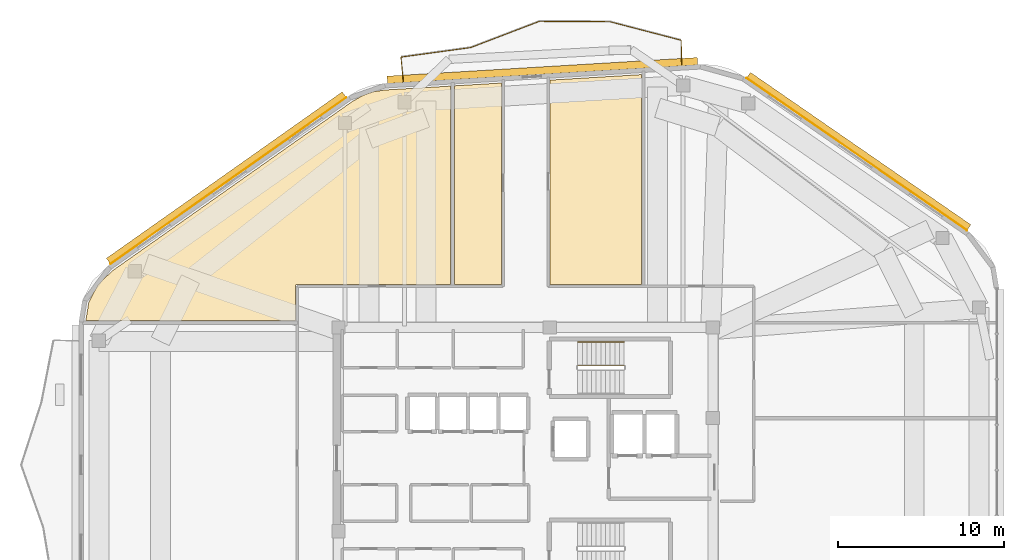
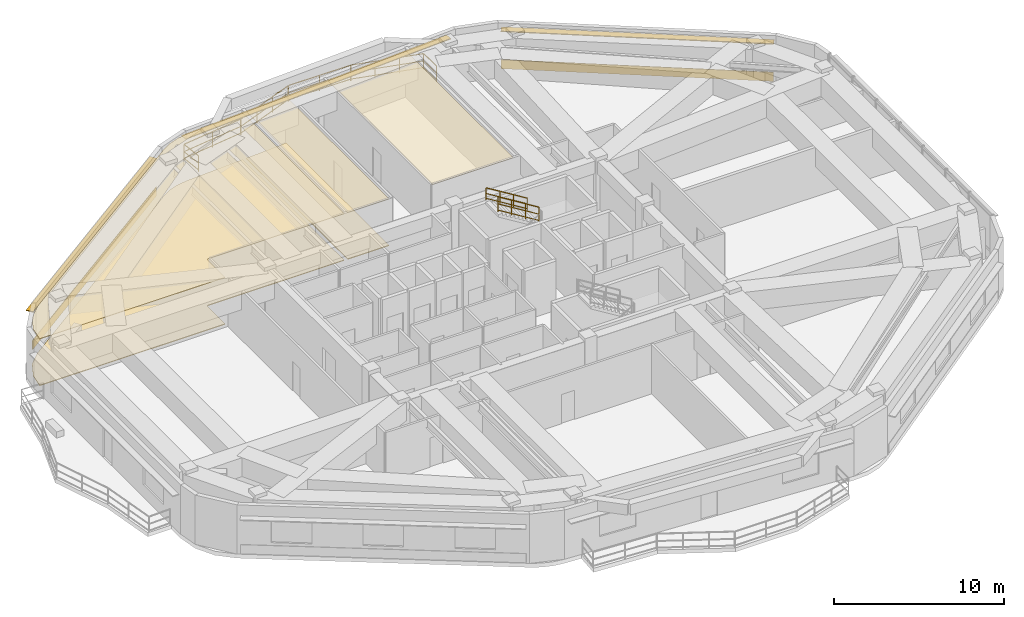
# One storey, part 15 of 15: 8 railings, 7 coverings, 3 shading devices.
"""IFC4 building model written with IfcOpenShell, lengths in metres."""

from ifc_helpers import new_model, si_unit, direction, frame, origin, origin_2d, place, context, subcontext, project, spatial, polyline, rectangle, outline, extrude, material, layer, layer_set, type_object, element, save


model = new_model("IFC4")

# Units and contexts
model_context = context("Model", 3, precision=1e-05, world=origin(), true_north=direction((0.0, 1.0)))
body_context = subcontext(model_context, "Body", "Model", "MODEL_VIEW")
ifc_project = project(units=[si_unit("LENGTHUNIT", "METRE"), si_unit("AREAUNIT", "SQUARE_METRE"), si_unit("VOLUMEUNIT", "CUBIC_METRE"), si_unit("PLANEANGLEUNIT", "RADIAN"), si_unit("MASSUNIT", "GRAM", prefix="KILO")], contexts=[model_context])

# Site, building, storey
site_placement = place(None, origin())
site = spatial("IfcSite", under=ifc_project, at=site_placement, CompositionType="ELEMENT")
building_placement = place(site_placement, origin())
building = spatial("IfcBuilding", under=site, at=building_placement, Name="Zulverin Broadcast Headquarters", CompositionType="ELEMENT")
storey_placement = place(building_placement, frame((0.0, 0.0, 270.60009765625)))
storey = spatial("IfcBuildingStorey", under=building, at=storey_placement, Name="L69", CompositionType="ELEMENT", Elevation=270.60009765625)

# Coverings
ifc_material_1 = material(Name="Perforated pale-metal acoustic baffle ceiling", Category="aluminium")
ifc_layer_1 = layer(ifc_material_1, 0.0400390625, Name="Perforated pale-metal acoustic baffle ceiling", Category="aluminium")
ifc_layer_set_1 = layer_set([ifc_layer_1], Name="Perforated pale-metal acoustic baffle ceiling")
covering_type_1 = type_object("IfcCoveringType", Name="COV-CEIL-ACOU", PredefinedType="CEILING", material=ifc_layer_set_1)
covering_1_placement = place(storey_placement, frame((0.0, 0.0, 3.35986328125)))
element("IfcCovering", 1, at=covering_1_placement, inside=storey, type_object=covering_type_1, Name="L69 Acoustic Baffle Ceiling 01", PredefinedType="CEILING", context=body_context, shape_type="SweptSolid", body=[
    extrude(outline(polyline([(12.092041015625, 36.468017578125), (11.22802734375, 35.6240234375), (10.69189453125, 34.580078125), (10.51611328125, 33.5), (23.132080078125, 33.5), (23.132080078125, 35.552001953125), (23.132080078125, 35.56396484375), (23.135986328125, 35.575927734375), (23.135986328125, 35.587890625), (23.139892578125, 35.595947265625), (23.14794921875, 35.60791015625), (23.152099609375, 35.6201171875), (23.159912109375, 35.6279296875), (23.16796875, 35.635986328125), (23.176025390625, 35.64404296875), (23.18408203125, 35.652099609375), (23.196044921875, 35.656005859375), (23.2080078125, 35.6640625), (23.216064453125, 35.66796875), (23.22802734375, 35.66796875), (23.239990234375, 35.672119140625), (23.251953125, 35.672119140625), (32.47998046875, 35.672119140625), (32.47998046875, 47.60791015625), (28.52392578125, 47.3720703125), (27.827880859375, 47.26806640625), (27.18798828125, 47.0400390625), (26.575927734375, 46.69189453125), (12.092041015625, 36.468017578125)])), origin(), (0.0, 0.0, 1.0), 0.0400390625),
])
covering_2_placement = place(storey_placement, frame((0.0, 0.0, 3.35986328125)))
element("IfcCovering", 2, at=covering_2_placement, inside=storey, type_object=covering_type_1, Name="L69 Acoustic Baffle Ceiling 02", PredefinedType="CEILING", context=body_context, shape_type="SweptSolid", body=[
    extrude(outline(polyline([(35.531982421875, 35.672119140625), (35.531982421875, 47.7919921875), (32.719970703125, 47.6240234375), (32.719970703125, 35.672119140625), (35.531982421875, 35.672119140625)])), origin(), (0.0, 0.0, 1.0), 0.0400390625),
])
covering_3_placement = place(storey_placement, frame((0.0, 0.0, 3.35986328125)))
element("IfcCovering", 3, at=covering_3_placement, inside=storey, type_object=covering_type_1, Name="L69 Acoustic Baffle Ceiling 03", PredefinedType="CEILING", context=body_context, shape_type="SweptSolid", body=[
    extrude(outline(polyline([(38.471923828125, 47.968017578125), (38.471923828125, 35.672119140625), (43.97998046875, 35.672119140625), (43.97998046875, 48.300048828125), (38.471923828125, 47.968017578125)])), origin(), (0.0, 0.0, 1.0), 0.0400390625),
])
ifc_material_2 = material(Name="Brushed pale-aluminium rainscreen cladding", Category="aluminium")
ifc_layer_2 = layer(ifc_material_2, 0.0400390625, Name="Brushed pale-aluminium rainscreen cladding", Category="aluminium")
ifc_layer_set_2 = layer_set([ifc_layer_2], Name="Brushed pale-aluminium rainscreen cladding")
covering_type_2 = type_object("IfcCoveringType", Name="COV-CLAD-PALE", PredefinedType="CLADDING", material=ifc_layer_set_2)
covering_4_placement = place(storey_placement, frame((56.938232421875, 43.505126953125, 0.054931640625), z_axis=(0.0, 0.0, 1.0), x_axis=(-0.822655402653, 0.568540313861, 0.0)))
element("IfcCovering", 4, at=covering_4_placement, inside=storey, type_object=covering_type_2, Name="L69 Brushed Pale-Aluminium Spandrel Cladding 4", PredefinedType="CLADDING", context=body_context, shape_type="SweptSolid", body=[
    extrude(rectangle(XDim=16.1279296875, YDim=0.0400390625, at=origin_2d()), origin(), (0.0, 0.0, 1.0), 0.64990234375),
])
covering_5_placement = place(storey_placement, frame((19.093505859375, 41.9091796875, 0.054931640625), z_axis=(0.0, 0.0, 1.0), x_axis=(-0.817023146348, -0.576604871929, 0.0)))
element("IfcCovering", 5, at=covering_5_placement, inside=storey, type_object=covering_type_2, Name="L69 Brushed Pale-Aluminium Spandrel Cladding 6", PredefinedType="CLADDING", context=body_context, shape_type="SweptSolid", body=[
    extrude(rectangle(XDim=17.3798828125, YDim=0.0400390625, at=origin_2d()), origin(), (0.0, 0.0, 1.0), 0.64990234375),
])
ifc_material_3 = material(Name="Anti-static broadcast raised access flooring", Category="stone")
ifc_layer_3 = layer(ifc_material_3, 0.050048828125, Name="Anti-static broadcast raised access flooring", Category="stone")
ifc_layer_set_3 = layer_set([ifc_layer_3], Name="Anti-static broadcast raised access flooring")
covering_type_3 = type_object("IfcCoveringType", Name="COV-FLR-RAISED", PredefinedType="FLOORING", material=ifc_layer_set_3)
covering_6_placement = place(storey_placement, origin())
element("IfcCovering", 6, at=covering_6_placement, inside=storey, type_object=covering_type_3, Name="L69 Broadcast Raised Access Flooring 01", PredefinedType="FLOORING", context=body_context, shape_type="SweptSolid", body=[
    extrude(outline(polyline([(12.092041015625, 36.468017578125), (11.22802734375, 35.6240234375), (10.69189453125, 34.580078125), (10.51611328125, 33.5), (23.132080078125, 33.5), (23.132080078125, 35.552001953125), (23.132080078125, 35.56396484375), (23.135986328125, 35.575927734375), (23.135986328125, 35.587890625), (23.139892578125, 35.595947265625), (23.14794921875, 35.60791015625), (23.152099609375, 35.6201171875), (23.159912109375, 35.6279296875), (23.16796875, 35.635986328125), (23.176025390625, 35.64404296875), (23.18408203125, 35.652099609375), (23.196044921875, 35.656005859375), (23.2080078125, 35.6640625), (23.216064453125, 35.66796875), (23.22802734375, 35.66796875), (23.239990234375, 35.672119140625), (23.251953125, 35.672119140625), (32.47998046875, 35.672119140625), (32.47998046875, 47.60791015625), (28.52392578125, 47.3720703125), (27.827880859375, 47.26806640625), (27.18798828125, 47.0400390625), (26.575927734375, 46.69189453125), (12.092041015625, 36.468017578125)])), origin(), (0.0, 0.0, 1.0), 0.0498046875),
])
covering_7_placement = place(storey_placement, origin())
element("IfcCovering", 7, at=covering_7_placement, inside=storey, type_object=covering_type_3, Name="L69 Broadcast Raised Access Flooring 02", PredefinedType="FLOORING", context=body_context, shape_type="SweptSolid", body=[
    extrude(outline(polyline([(35.531982421875, 35.672119140625), (35.531982421875, 47.7919921875), (32.719970703125, 47.6240234375), (32.719970703125, 35.672119140625), (35.531982421875, 35.672119140625)])), origin(), (0.0, 0.0, 1.0), 0.0498046875),
])

# Railings
ifc_material_4 = material(Name="Brushed stainless steel & laminated glass balustrade", Category="steel")
railing_type_1 = type_object("IfcRailingType", Name="RL-GUARD-1150", PredefinedType="GUARDRAIL", material=ifc_material_4)
railing_1_placement = place(storey_placement, frame((46.397216796875, 48.885498046875, 0.0)))
element("IfcRailing", 8, at=railing_1_placement, inside=storey, type_object=railing_type_1, Name="L69 Vertical-Forest Balcony Guardrail BAL_N Segment 01", PredefinedType="GUARDRAIL", context=body_context, shape_type="SweptSolid", body=[
    extrude(rectangle(XDim=0.048095703125, YDim=0.048095703125, at=origin_2d()), frame((0.0, 0.0, 1.1259765625), z_axis=(-0.019480066399, 0.999810245503, 0.0), x_axis=(-0.999810245503, -0.019480066399, 0.0)), (0.0, 0.0, 1.0), 1.46630859375),
    extrude(rectangle(XDim=0.0419921875, YDim=0.0419921875, at=origin_2d()), frame((0.0, 0.0, 0.597900390625), z_axis=(-0.019480066399, 0.999810245503, 0.0), x_axis=(-0.999810245503, -0.019480066399, 0.0)), (0.0, 0.0, 1.0), 1.46630859375),
    extrude(rectangle(XDim=0.0419921875, YDim=0.0419921875, at=origin_2d()), frame((0.0, 0.0, 0.1201171875), z_axis=(-0.019480066399, 0.999810245503, 0.0), x_axis=(-0.999810245503, -0.019480066399, 0.0)), (0.0, 0.0, 1.0), 1.46630859375),
    extrude(rectangle(XDim=0.0419921875, YDim=0.0419921875, at=origin_2d()), origin(), (0.0, 0.0, 1.0), 1.101806640625),
    extrude(rectangle(XDim=0.0419921875, YDim=0.0419921875, at=origin_2d()), frame((-0.028564453125, 1.466064453125, 0.0)), (0.0, 0.0, 1.0), 1.101806640625),
])
railing_2_placement = place(storey_placement, frame((46.353759765625, 50.370361328125, 0.0)))
element("IfcRailing", 9, at=railing_2_placement, inside=storey, type_object=railing_type_1, Name="L69 Vertical-Forest Balcony Guardrail BAL_N Segment 02", PredefinedType="GUARDRAIL", context=body_context, shape_type="SweptSolid", body=[
    extrude(rectangle(XDim=0.048095703125, YDim=0.048095703125, at=origin_2d()), frame((0.0, 0.0, 1.1259765625), z_axis=(-0.967745718777, 0.251929005454, 0.0), x_axis=(-0.251929005454, -0.967745718777, 0.0)), (0.0, 0.0, 1.0), 4.416015625),
    extrude(rectangle(XDim=0.0419921875, YDim=0.0419921875, at=origin_2d()), frame((0.0, 0.0, 0.597900390625), z_axis=(-0.967745718777, 0.251929005454, 0.0), x_axis=(-0.251929005454, -0.967745718777, 0.0)), (0.0, 0.0, 1.0), 4.416015625),
    extrude(rectangle(XDim=0.0419921875, YDim=0.0419921875, at=origin_2d()), frame((0.0, 0.0, 0.1201171875), z_axis=(-0.967745718777, 0.251929005454, 0.0), x_axis=(-0.251929005454, -0.967745718777, 0.0)), (0.0, 0.0, 1.0), 4.416015625),
    extrude(rectangle(XDim=0.0419921875, YDim=0.0419921875, at=origin_2d()), origin(), (0.0, 0.0, 1.0), 1.101806640625),
    extrude(rectangle(XDim=0.0419921875, YDim=0.0419921875, at=origin_2d()), frame((-1.424560546875, 0.370849609375, 0.0)), (0.0, 0.0, 1.0), 1.101806640625),
    extrude(rectangle(XDim=0.0419921875, YDim=0.0419921875, at=origin_2d()), frame((-2.84912109375, 0.74169921875, 0.0)), (0.0, 0.0, 1.0), 1.101806640625),
    extrude(rectangle(XDim=0.0419921875, YDim=0.0419921875, at=origin_2d()), frame((-4.273681640625, 1.112548828125, 0.0)), (0.0, 0.0, 1.0), 1.101806640625),
])
railing_3_placement = place(storey_placement, frame((42.05078125, 51.48681640625, 0.0)))
element("IfcRailing", 10, at=railing_3_placement, inside=storey, type_object=railing_type_1, Name="L69 Vertical-Forest Balcony Guardrail BAL_N Segment 03", PredefinedType="GUARDRAIL", context=body_context, shape_type="SweptSolid", body=[
    extrude(rectangle(XDim=0.048095703125, YDim=0.048095703125, at=origin_2d()), frame((0.0, 0.0, 1.1259765625), z_axis=(-0.999988116338, 0.004875159708, 0.0), x_axis=(-0.004875159708, -0.999988116338, 0.0)), (0.0, 0.0, 1.0), 4.20654296875),
    extrude(rectangle(XDim=0.0419921875, YDim=0.0419921875, at=origin_2d()), frame((0.0, 0.0, 0.597900390625), z_axis=(-0.999988116338, 0.004875159708, 0.0), x_axis=(-0.004875159708, -0.999988116338, 0.0)), (0.0, 0.0, 1.0), 4.20654296875),
    extrude(rectangle(XDim=0.0419921875, YDim=0.0419921875, at=origin_2d()), frame((0.0, 0.0, 0.1201171875), z_axis=(-0.999988116338, 0.004875159708, 0.0), x_axis=(-0.004875159708, -0.999988116338, 0.0)), (0.0, 0.0, 1.0), 4.20654296875),
    extrude(rectangle(XDim=0.0419921875, YDim=0.0419921875, at=origin_2d()), origin(), (0.0, 0.0, 1.0), 1.101806640625),
    extrude(rectangle(XDim=0.0419921875, YDim=0.0419921875, at=origin_2d()), frame((-2.103271484375, 0.01025390625, 0.0)), (0.0, 0.0, 1.0), 1.101806640625),
    extrude(rectangle(XDim=0.0419921875, YDim=0.0419921875, at=origin_2d()), frame((-4.20654296875, 0.0205078125, 0.0)), (0.0, 0.0, 1.0), 1.101806640625),
])
railing_4_placement = place(storey_placement, frame((37.815185546875, 51.502197265625, 0.0)))
element("IfcRailing", 11, at=railing_4_placement, inside=storey, type_object=railing_type_1, Name="L69 Vertical-Forest Balcony Guardrail BAL_N Segment 04", PredefinedType="GUARDRAIL", context=body_context, shape_type="SweptSolid", body=[
    extrude(rectangle(XDim=0.048095703125, YDim=0.048095703125, at=origin_2d()), frame((0.0, 0.0, 1.1259765625), z_axis=(-0.934231826602, -0.356666362534, 0.0), x_axis=(0.356666362534, -0.934231826602, 0.0)), (0.0, 0.0, 1.0), 4.402099609375),
    extrude(rectangle(XDim=0.0419921875, YDim=0.0419921875, at=origin_2d()), frame((0.0, 0.0, 0.597900390625), z_axis=(-0.934231826602, -0.356666362534, 0.0), x_axis=(0.356666362534, -0.934231826602, 0.0)), (0.0, 0.0, 1.0), 4.402099609375),
    extrude(rectangle(XDim=0.0419921875, YDim=0.0419921875, at=origin_2d()), frame((0.0, 0.0, 0.1201171875), z_axis=(-0.934231826602, -0.356666362534, 0.0), x_axis=(0.356666362534, -0.934231826602, 0.0)), (0.0, 0.0, 1.0), 4.402099609375),
    extrude(rectangle(XDim=0.0419921875, YDim=0.0419921875, at=origin_2d()), origin(), (0.0, 0.0, 1.0), 1.101806640625),
    extrude(rectangle(XDim=0.0419921875, YDim=0.0419921875, at=origin_2d()), frame((-1.370849609375, -0.5234375, 0.0)), (0.0, 0.0, 1.0), 1.101806640625),
    extrude(rectangle(XDim=0.0419921875, YDim=0.0419921875, at=origin_2d()), frame((-2.74169921875, -1.046630859375, 0.0)), (0.0, 0.0, 1.0), 1.101806640625),
    extrude(rectangle(XDim=0.0419921875, YDim=0.0419921875, at=origin_2d()), frame((-4.112548828125, -1.570068359375, 0.0)), (0.0, 0.0, 1.0), 1.101806640625),
])
railing_5_placement = place(storey_placement, frame((33.673828125, 49.9248046875, 0.0)))
element("IfcRailing", 12, at=railing_5_placement, inside=storey, type_object=railing_type_1, Name="L69 Vertical-Forest Balcony Guardrail BAL_N Segment 05", PredefinedType="GUARDRAIL", context=body_context, shape_type="SweptSolid", body=[
    extrude(rectangle(XDim=0.048095703125, YDim=0.048095703125, at=origin_2d()), frame((0.0, 0.0, 1.1259765625), z_axis=(-0.99079731968, -0.135353874401, 0.0), x_axis=(0.135353874401, -0.99079731968, 0.0)), (0.0, 0.0, 1.0), 4.2099609375),
    extrude(rectangle(XDim=0.0419921875, YDim=0.0419921875, at=origin_2d()), frame((0.0, 0.0, 0.597900390625), z_axis=(-0.99079731968, -0.135353874401, 0.0), x_axis=(0.135353874401, -0.99079731968, 0.0)), (0.0, 0.0, 1.0), 4.2099609375),
    extrude(rectangle(XDim=0.0419921875, YDim=0.0419921875, at=origin_2d()), frame((0.0, 0.0, 0.1201171875), z_axis=(-0.99079731968, -0.135353874401, 0.0), x_axis=(0.135353874401, -0.99079731968, 0.0)), (0.0, 0.0, 1.0), 4.2099609375),
    extrude(rectangle(XDim=0.0419921875, YDim=0.0419921875, at=origin_2d()), origin(), (0.0, 0.0, 1.0), 1.101806640625),
    extrude(rectangle(XDim=0.0419921875, YDim=0.0419921875, at=origin_2d()), frame((-2.08544921875, -0.284912109375, 0.0)), (0.0, 0.0, 1.0), 1.101806640625),
    extrude(rectangle(XDim=0.0419921875, YDim=0.0419921875, at=origin_2d()), frame((-4.171142578125, -0.56982421875, 0.0)), (0.0, 0.0, 1.0), 1.101806640625),
])
railing_6_placement = place(storey_placement, frame((29.489501953125, 49.338134765625, 0.0)))
element("IfcRailing", 13, at=railing_6_placement, inside=storey, type_object=railing_type_1, Name="L69 Vertical-Forest Balcony Guardrail BAL_N Segment 06", PredefinedType="GUARDRAIL", context=body_context, shape_type="SweptSolid", body=[
    extrude(rectangle(XDim=0.048095703125, YDim=0.048095703125, at=origin_2d()), frame((0.0, 0.0, 1.1259765625), z_axis=(0.100245616419, -0.994962721105, 0.0), x_axis=(0.994962721105, 0.100245616419, 0.0)), (0.0, 0.0, 1.0), 1.466064453125),
    extrude(rectangle(XDim=0.0419921875, YDim=0.0419921875, at=origin_2d()), frame((0.0, 0.0, 0.597900390625), z_axis=(0.100245616419, -0.994962721105, 0.0), x_axis=(0.994962721105, 0.100245616419, 0.0)), (0.0, 0.0, 1.0), 1.466064453125),
    extrude(rectangle(XDim=0.0419921875, YDim=0.0419921875, at=origin_2d()), frame((0.0, 0.0, 0.1201171875), z_axis=(0.100245616419, -0.994962721105, 0.0), x_axis=(0.994962721105, 0.100245616419, 0.0)), (0.0, 0.0, 1.0), 1.466064453125),
    extrude(rectangle(XDim=0.0419921875, YDim=0.0419921875, at=origin_2d()), origin(), (0.0, 0.0, 1.0), 1.101806640625),
    extrude(rectangle(XDim=0.0419921875, YDim=0.0419921875, at=origin_2d()), frame((0.14697265625, -1.458740234375, 0.0)), (0.0, 0.0, 1.0), 1.101806640625),
])
ifc_material_5 = material(Name="Painted galvanized steel tubular guardrail S355JR", Category="steel")
railing_type_2 = type_object("IfcRailingType", Name="RL-ST-GUARD", PredefinedType="GUARDRAIL", material=ifc_material_5)
railing_7_placement = place(storey_placement, frame((42.929931640625, 30.800048828125, 2.072509765625)))
element("IfcRailing", 14, at=railing_7_placement, inside=storey, type_object=railing_type_2, Name="L69 ST-1 stair guard 3", PredefinedType="GUARDRAIL", context=body_context, shape_type="SweptSolid", body=[
    extrude(rectangle(XDim=0.048095703125, YDim=0.048095703125, at=origin_2d()), frame((0.0, 0.0, 1.076171875), z_axis=(-0.851089632645, 0.0, 0.525020415988), x_axis=(0.0, -1.0, 0.0)), (0.0, 0.0, 1.0), 3.2900390625),
    extrude(rectangle(XDim=0.0419921875, YDim=0.0419921875, at=origin_2d()), frame((0.0, 0.0, 0.572021484375), z_axis=(-0.851089632645, 0.0, 0.525020415988), x_axis=(0.0, -1.0, 0.0)), (0.0, 0.0, 1.0), 3.2900390625),
    extrude(rectangle(XDim=0.0419921875, YDim=0.0419921875, at=origin_2d()), frame((0.0, 0.0, 0.1201171875), z_axis=(-0.851089632645, 0.0, 0.525020415988), x_axis=(0.0, -1.0, 0.0)), (0.0, 0.0, 1.0), 3.2900390625),
    extrude(rectangle(XDim=0.0419921875, YDim=0.0419921875, at=origin_2d()), origin(), (0.0, 0.0, 1.0), 1.052001953125),
    extrude(rectangle(XDim=0.0419921875, YDim=0.0419921875, at=origin_2d()), frame((-0.933349609375, 0.0, 0.57568359375)), (0.0, 0.0, 1.0), 1.052001953125),
    extrude(rectangle(XDim=0.0419921875, YDim=0.0419921875, at=origin_2d()), frame((-1.86669921875, 0.0, 1.151611328125)), (0.0, 0.0, 1.0), 1.052001953125),
    extrude(rectangle(XDim=0.0419921875, YDim=0.0419921875, at=origin_2d()), frame((-2.800048828125, 0.0, 1.727294921875)), (0.0, 0.0, 1.0), 1.052001953125),
])
ifc_material_6 = material(Name="Brushed stainless steel 48 mm handrail", Category="steel")
railing_type_3 = type_object("IfcRailingType", Name="RL-ST-HAND", PredefinedType="HANDRAIL", material=ifc_material_6)
railing_8_placement = place(storey_placement, frame((42.929931640625, 32.199951171875, 2.072509765625)))
element("IfcRailing", 15, at=railing_8_placement, inside=storey, type_object=railing_type_3, Name="L69 ST-1 stair handrail 2", PredefinedType="HANDRAIL", context=body_context, shape_type="SweptSolid", body=[
    extrude(rectangle(XDim=0.048095703125, YDim=0.048095703125, at=origin_2d()), frame((0.0, 0.0, 0.8759765625), z_axis=(-0.851089632645, 0.0, 0.525020415988), x_axis=(0.0, -1.0, 0.0)), (0.0, 0.0, 1.0), 3.2900390625),
    extrude(rectangle(XDim=0.0419921875, YDim=0.0419921875, at=origin_2d()), frame((0.0, 0.0, 0.468017578125), z_axis=(-0.851089632645, 0.0, 0.525020415988), x_axis=(0.0, -1.0, 0.0)), (0.0, 0.0, 1.0), 3.2900390625),
    extrude(rectangle(XDim=0.0419921875, YDim=0.0419921875, at=origin_2d()), frame((0.0, 0.0, 0.1201171875), z_axis=(-0.851089632645, 0.0, 0.525020415988), x_axis=(0.0, -1.0, 0.0)), (0.0, 0.0, 1.0), 3.2900390625),
    extrude(rectangle(XDim=0.0419921875, YDim=0.0419921875, at=origin_2d()), origin(), (0.0, 0.0, 1.0), 0.851806640625),
    extrude(rectangle(XDim=0.0419921875, YDim=0.0419921875, at=origin_2d()), frame((-0.933349609375, 0.0, 0.57568359375)), (0.0, 0.0, 1.0), 0.851806640625),
    extrude(rectangle(XDim=0.0419921875, YDim=0.0419921875, at=origin_2d()), frame((-1.86669921875, 0.0, 1.151611328125)), (0.0, 0.0, 1.0), 0.851806640625),
    extrude(rectangle(XDim=0.0419921875, YDim=0.0419921875, at=origin_2d()), frame((-2.800048828125, 0.0, 1.727294921875)), (0.0, 0.0, 1.0), 0.851806640625),
])

# Shading devices
ifc_material_7 = material(Name="Anodized pale-metal aluminium sunshade", Category="aluminium")
ifc_layer_4 = layer(ifc_material_7, 0.06005859375, Name="Anodized pale-metal aluminium sunshade", Category="aluminium")
ifc_layer_set_4 = layer_set([ifc_layer_4], Name="Anodized pale-metal aluminium sunshade")
shading_device_type = type_object("IfcShadingDeviceType", Name="SS-01_PALE_METAL_ALUMINIUM_SUNSHADE", PredefinedType="USERDEFINED", material=ifc_layer_set_4)
shading_device_1_placement = place(storey_placement, frame((57.04638671875, 43.66162109375, 2.7099609375), z_axis=(0.0, 0.0, 1.0), x_axis=(-0.822655402653, 0.568540313861, 0.0)))
element("IfcShadingDevice", 16, at=shading_device_1_placement, inside=storey, type_object=shading_device_type, Name="L69 Horizontal Pale-Metal Sunshade Band 4", ObjectType="SUNSHADE", PredefinedType="USERDEFINED", context=body_context, shape_type="SweptSolid", body=[
    extrude(rectangle(XDim=16.1279296875, YDim=0.449951171875, at=origin_2d()), origin(), (0.0, 0.0, 1.0), 0.06005859375),
])
shading_device_2_placement = place(storey_placement, frame((38.007080078125, 48.542236328125, 2.7099609375), z_axis=(0.0, 0.0, 1.0), x_axis=(-0.99820257679, -0.059930090026, 0.0)))
element("IfcShadingDevice", 17, at=shading_device_2_placement, inside=storey, type_object=shading_device_type, Name="L69 Horizontal Pale-Metal Sunshade Band 5", ObjectType="SUNSHADE", PredefinedType="USERDEFINED", context=body_context, shape_type="SweptSolid", body=[
    extrude(rectangle(XDim=18.710693359375, YDim=0.449951171875, at=origin_2d()), origin(), (0.0, 0.0, 1.0), 0.06005859375),
])
shading_device_3_placement = place(storey_placement, frame((18.98388671875, 42.064453125, 2.7099609375), z_axis=(0.0, 0.0, 1.0), x_axis=(-0.817023146348, -0.576604871929, 0.0)))
element("IfcShadingDevice", 18, at=shading_device_3_placement, inside=storey, type_object=shading_device_type, Name="L69 Horizontal Pale-Metal Sunshade Band 6", ObjectType="SUNSHADE", PredefinedType="USERDEFINED", context=body_context, shape_type="SweptSolid", body=[
    extrude(rectangle(XDim=17.3798828125, YDim=0.449951171875, at=origin_2d()), origin(), (0.0, 0.0, 1.0), 0.06005859375),
])

save(model, "model.ifc")
